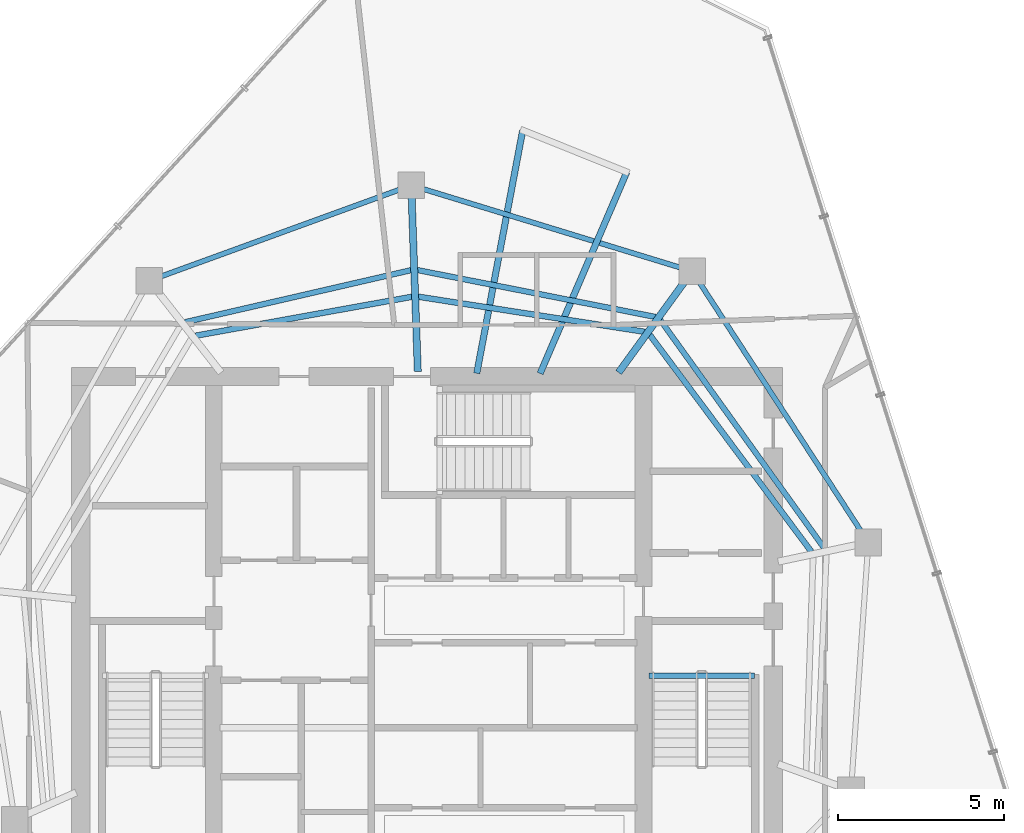
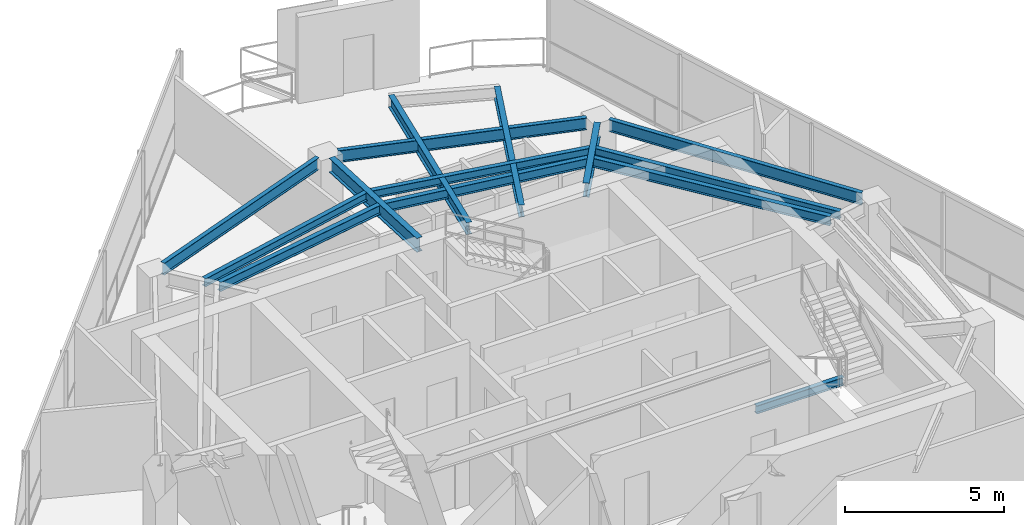
# One storey, part 9 of 18: 14 beams.
"""IFC4 building model written with IfcOpenShell, lengths in metres."""

from ifc_helpers import new_model, si_unit, direction, frame, origin, origin_2d, place, context, subcontext, project, spatial, i_section, extrude, material, material_profile, profile_set, type_object, element, save


model = new_model("IFC4")

# Units and contexts
model_context = context("Model", 3, precision=1e-05, world=origin(), true_north=direction((0.0, 1.0)))
body_context = subcontext(model_context, "Body", "Model", "MODEL_VIEW")
ifc_project = project(units=[si_unit("LENGTHUNIT", "METRE"), si_unit("AREAUNIT", "SQUARE_METRE"), si_unit("VOLUMEUNIT", "CUBIC_METRE"), si_unit("PLANEANGLEUNIT", "RADIAN"), si_unit("MASSUNIT", "GRAM", prefix="KILO")], contexts=[model_context])

# Site, building, storey
site_placement = place(None, origin())
site = spatial("IfcSite", under=ifc_project, at=site_placement, CompositionType="ELEMENT")
building_placement = place(site_placement, origin())
building = spatial("IfcBuilding", under=site, at=building_placement, Name="Qarnah Convention Tower", CompositionType="ELEMENT")
storey_placement = place(building_placement, frame((0.0, 0.0, 246.300048828125)))
storey = spatial("IfcBuildingStorey", under=building, at=storey_placement, Name="L66", CompositionType="ELEMENT", Elevation=246.300048828125)

# Beams
ifc_material = material(Name="Structural steel S355JR", Category="steel")
ifc_material_profile_1 = material_profile(ifc_material, i_section(OverallWidth=0.19189453125, OverallDepth=0.464111328125, WebThickness=0.010986328125, FlangeThickness=0.01806640625, at=origin_2d()), Name="W460X89")
ifc_profile_set_1 = profile_set([ifc_material_profile_1], Name="Structural steel S355JR")
beam_type_1 = type_object("IfcBeamType", Name="BM-CANT-W460A", PredefinedType="BEAM", material=ifc_profile_set_1)
beam_1_placement = place(storey_placement, frame((38.694091796875, 34.298095703125, 3.087890625), z_axis=(0.185836759901, 0.982580632146, 0.0), x_axis=(-0.982580632146, 0.185836759901, 0.0)))
element("IfcBeam", 1, at=beam_1_placement, inside=storey, type_object=beam_type_1, Name="L66 beam BM-L66-CNT-01-1", PredefinedType="BEAM", context=body_context, shape_type="SweptSolid", body=[
    extrude(i_section(OverallWidth=0.19189453125, OverallDepth=0.464111328125, WebThickness=0.010986328125, FlangeThickness=0.01806640625, at=origin_2d()), origin(), (0.0, 0.0, 1.0), 7.42529296875),
])
beam_2_placement = place(storey_placement, frame((40.596923828125, 34.2919921875, 3.087890625), z_axis=(0.395203303624, 0.918593679929, 0.0), x_axis=(-0.918593679929, 0.395203303624, 0.0)))
element("IfcBeam", 2, at=beam_2_placement, inside=storey, type_object=beam_type_1, Name="L66 beam BM-L66-CNT-01-2", PredefinedType="BEAM", context=body_context, shape_type="SweptSolid", body=[
    extrude(i_section(OverallWidth=0.19189453125, OverallDepth=0.464111328125, WebThickness=0.010986328125, FlangeThickness=0.01806640625, at=origin_2d()), origin(), (0.0, 0.0, 1.0), 6.583984375),
])
ifc_material_profile_2 = material_profile(ifc_material, i_section(OverallWidth=0.166015625, OverallDepth=0.31201171875, WebThickness=0.007080078125, FlangeThickness=0.010986328125, at=origin_2d()), Name="W310X45")
ifc_profile_set_2 = profile_set([ifc_material_profile_2], Name="Structural steel S355JR")
beam_type_2 = type_object("IfcBeamType", Name="BM-JST-W310", PredefinedType="JOIST", material=ifc_profile_set_2)
beam_3_placement = place(storey_placement, frame((43.860107421875, 25.217041015625, -0.156005859375), z_axis=(1.0, 0.0, 0.0), x_axis=(0.0, 1.0, 0.0)))
element("IfcBeam", 3, at=beam_3_placement, inside=storey, type_object=beam_type_2, Name="L66 stair landing trimmer beam BM-L66-ST2-TRM", PredefinedType="BEAM", context=body_context, shape_type="SweptSolid", body=[
    extrude(i_section(OverallWidth=0.166015625, OverallDepth=0.31201171875, WebThickness=0.007080078125, FlangeThickness=0.010986328125, at=origin_2d()), origin(), (0.0, 0.0, 1.0), 3.179931640625),
])
beam_4_placement = place(storey_placement, frame((49.14501953125, 29.02294921875, 3.1640625), z_axis=(-0.58344586601, 0.812152030986, 0.0), x_axis=(-0.812152030986, -0.58344586601, 0.0)))
element("IfcBeam", 4, at=beam_4_placement, inside=storey, type_object=beam_type_2, Name="L66 joist BM-L66-SJST-01", PredefinedType="JOIST", context=body_context, shape_type="SweptSolid", body=[
    extrude(i_section(OverallWidth=0.166015625, OverallDepth=0.31201171875, WebThickness=0.007080078125, FlangeThickness=0.010986328125, at=origin_2d()), origin(), (0.0, 0.0, 1.0), 8.465087890625),
])
beam_5_placement = place(storey_placement, frame((44.06494140625, 35.988037109375, 3.1640625), z_axis=(-0.98114260341, 0.193285260103, 0.0), x_axis=(-0.193285260103, -0.98114260341, 0.0)))
element("IfcBeam", 5, at=beam_5_placement, inside=storey, type_object=beam_type_2, Name="L66 joist BM-L66-SJST-02", PredefinedType="JOIST", context=body_context, shape_type="SweptSolid", body=[
    extrude(i_section(OverallWidth=0.166015625, OverallDepth=0.31201171875, WebThickness=0.007080078125, FlangeThickness=0.010986328125, at=origin_2d()), origin(), (0.0, 0.0, 1.0), 7.299560546875),
])
beam_6_placement = place(storey_placement, frame((36.72705078125, 37.39599609375, 3.1640625), z_axis=(-0.974498532047, -0.224393874777, 0.0), x_axis=(0.224393874777, -0.974498532047, 0.0)))
element("IfcBeam", 6, at=beam_6_placement, inside=storey, type_object=beam_type_2, Name="L66 joist BM-L66-SJST-03", PredefinedType="JOIST", context=body_context, shape_type="SweptSolid", body=[
    extrude(i_section(OverallWidth=0.166015625, OverallDepth=0.31201171875, WebThickness=0.007080078125, FlangeThickness=0.010986328125, at=origin_2d()), origin(), (0.0, 0.0, 1.0), 6.9697265625),
])
ifc_material_profile_3 = material_profile(ifc_material, i_section(OverallWidth=0.172119140625, OverallDepth=0.35595703125, WebThickness=0.007080078125, FlangeThickness=0.011962890625, at=origin_2d()), Name="W360X51")
ifc_profile_set_3 = profile_set([ifc_material_profile_3], Name="Structural steel S355JR")
beam_type_3 = type_object("IfcBeamType", Name="BM-JST-W360", PredefinedType="JOIST", material=ifc_profile_set_3)
beam_7_placement = place(storey_placement, frame((48.7451171875, 28.93701171875, 3.141845703125), z_axis=(-0.597624038881, 0.801776470191, 0.0), x_axis=(-0.801776470191, -0.597624038881, 0.0)))
element("IfcBeam", 7, at=beam_7_placement, inside=storey, type_object=beam_type_3, Name="L66 joist BM-L66-IJST-01", PredefinedType="JOIST", context=body_context, shape_type="SweptSolid", body=[
    extrude(i_section(OverallWidth=0.172119140625, OverallDepth=0.35595703125, WebThickness=0.007080078125, FlangeThickness=0.011962890625, at=origin_2d()), origin(), (0.0, 0.0, 1.0), 8.130859375),
])
beam_8_placement = place(storey_placement, frame((43.742919921875, 35.5419921875, 3.141845703125), z_axis=(-0.988191204816, 0.153225790013, 0.0), x_axis=(-0.153225790013, -0.988191204816, 0.0)))
element("IfcBeam", 8, at=beam_8_placement, inside=storey, type_object=beam_type_3, Name="L66 joist BM-L66-IJST-02", PredefinedType="JOIST", context=body_context, shape_type="SweptSolid", body=[
    extrude(i_section(OverallWidth=0.172119140625, OverallDepth=0.35595703125, WebThickness=0.007080078125, FlangeThickness=0.011962890625, at=origin_2d()), origin(), (0.0, 0.0, 1.0), 6.89111328125),
])
beam_9_placement = place(storey_placement, frame((36.7548828125, 36.595947265625, 3.141845703125), z_axis=(-0.98417817063, -0.177181625613, 0.0), x_axis=(0.177181625613, -0.98417817063, 0.0)))
element("IfcBeam", 9, at=beam_9_placement, inside=storey, type_object=beam_type_3, Name="L66 joist BM-L66-IJST-03", PredefinedType="JOIST", context=body_context, shape_type="SweptSolid", body=[
    extrude(i_section(OverallWidth=0.172119140625, OverallDepth=0.35595703125, WebThickness=0.007080078125, FlangeThickness=0.011962890625, at=origin_2d()), origin(), (0.0, 0.0, 1.0), 6.6083984375),
])
ifc_material_profile_4 = material_profile(ifc_material, i_section(OverallWidth=0.2119140625, OverallDepth=0.5400390625, WebThickness=0.011962890625, FlangeThickness=0.01904296875, at=origin_2d()), Name="W530X109")
ifc_profile_set_4 = profile_set([ifc_material_profile_4], Name="Structural steel S355JR")
beam_type_4 = type_object("IfcBeamType", Name="BM-RAD-W530A", PredefinedType="BEAM", material=ifc_profile_set_4)
beam_10_placement = place(storey_placement, frame((42.955078125, 34.321044921875, 3.050048828125), z_axis=(0.587699029113, 0.809079632162, 0.0), x_axis=(-0.809079632162, 0.587699029113, 0.0)))
element("IfcBeam", 10, at=beam_10_placement, inside=storey, type_object=beam_type_4, Name="L66 beam BM-L66-RAD-02", PredefinedType="BEAM", context=body_context, shape_type="SweptSolid", body=[
    extrude(i_section(OverallWidth=0.2119140625, OverallDepth=0.5400390625, WebThickness=0.011962890625, FlangeThickness=0.01904296875, at=origin_2d()), origin(), (0.0, 0.0, 1.0), 3.37890625),
])
beam_11_placement = place(storey_placement, frame((36.923095703125, 34.35009765625, 3.050048828125), z_axis=(-0.035110435588, 0.999383438582, 0.0), x_axis=(-0.999383438582, -0.035110435588, 0.0)))
element("IfcBeam", 11, at=beam_11_placement, inside=storey, type_object=beam_type_4, Name="L66 beam BM-L66-RAD-03", PredefinedType="BEAM", context=body_context, shape_type="SweptSolid", body=[
    extrude(i_section(OverallWidth=0.2119140625, OverallDepth=0.5400390625, WebThickness=0.011962890625, FlangeThickness=0.01904296875, at=origin_2d()), origin(), (0.0, 0.0, 1.0), 5.215087890625),
])
ifc_material_profile_5 = material_profile(ifc_material, i_section(OverallWidth=0.154052734375, OverallDepth=0.4599609375, WebThickness=0.009033203125, FlangeThickness=0.014892578125, at=origin_2d()), Name="W460X68")
ifc_profile_set_5 = profile_set([ifc_material_profile_5], Name="Structural steel S355JR")
beam_type_5 = type_object("IfcBeamType", Name="BM-SPN-W460B", PredefinedType="SPANDREL", material=ifc_profile_set_5)
beam_12_placement = place(storey_placement, frame((50.241943359375, 29.5439453125, 3.08984375), z_axis=(-0.544739511184, 0.838605309401, 0.0), x_axis=(-0.838605309401, -0.544739511184, 0.0)))
element("IfcBeam", 12, at=beam_12_placement, inside=storey, type_object=beam_type_5, Name="L66 spandrel BM-L66-SPN-01", PredefinedType="SPANDREL", context=body_context, shape_type="SweptSolid", body=[
    extrude(i_section(OverallWidth=0.154052734375, OverallDepth=0.4599609375, WebThickness=0.009033203125, FlangeThickness=0.014892578125, at=origin_2d()), origin(), (0.0, 0.0, 1.0), 8.9326171875),
])
beam_13_placement = place(storey_placement, frame((44.791015625, 37.47607421875, 3.08984375), z_axis=(-0.95628886523, 0.292423675918, 0.0), x_axis=(-0.292423675918, -0.95628886523, 0.0)))
element("IfcBeam", 13, at=beam_13_placement, inside=storey, type_object=beam_type_5, Name="L66 spandrel BM-L66-SPN-02", PredefinedType="SPANDREL", context=body_context, shape_type="SweptSolid", body=[
    extrude(i_section(OverallWidth=0.154052734375, OverallDepth=0.4599609375, WebThickness=0.009033203125, FlangeThickness=0.014892578125, at=origin_2d()), origin(), (0.0, 0.0, 1.0), 8.04248046875),
])
beam_14_placement = place(storey_placement, frame((36.361083984375, 39.80908203125, 3.08984375), z_axis=(-0.939671356419, -0.342078561044, 0.0), x_axis=(0.342078561044, -0.939671356419, 0.0)))
element("IfcBeam", 14, at=beam_14_placement, inside=storey, type_object=beam_type_5, Name="L66 spandrel BM-L66-SPN-03", PredefinedType="SPANDREL", context=body_context, shape_type="SweptSolid", body=[
    extrude(i_section(OverallWidth=0.154052734375, OverallDepth=0.4599609375, WebThickness=0.009033203125, FlangeThickness=0.014892578125, at=origin_2d()), origin(), (0.0, 0.0, 1.0), 7.59521484375),
])

save(model, "model.ifc")
